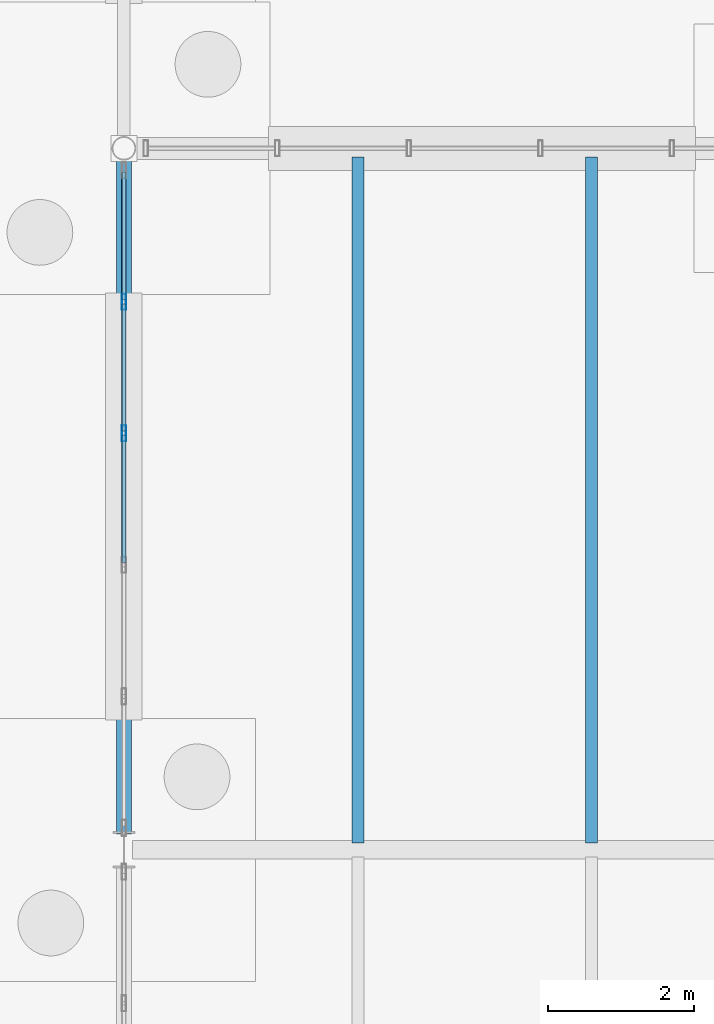
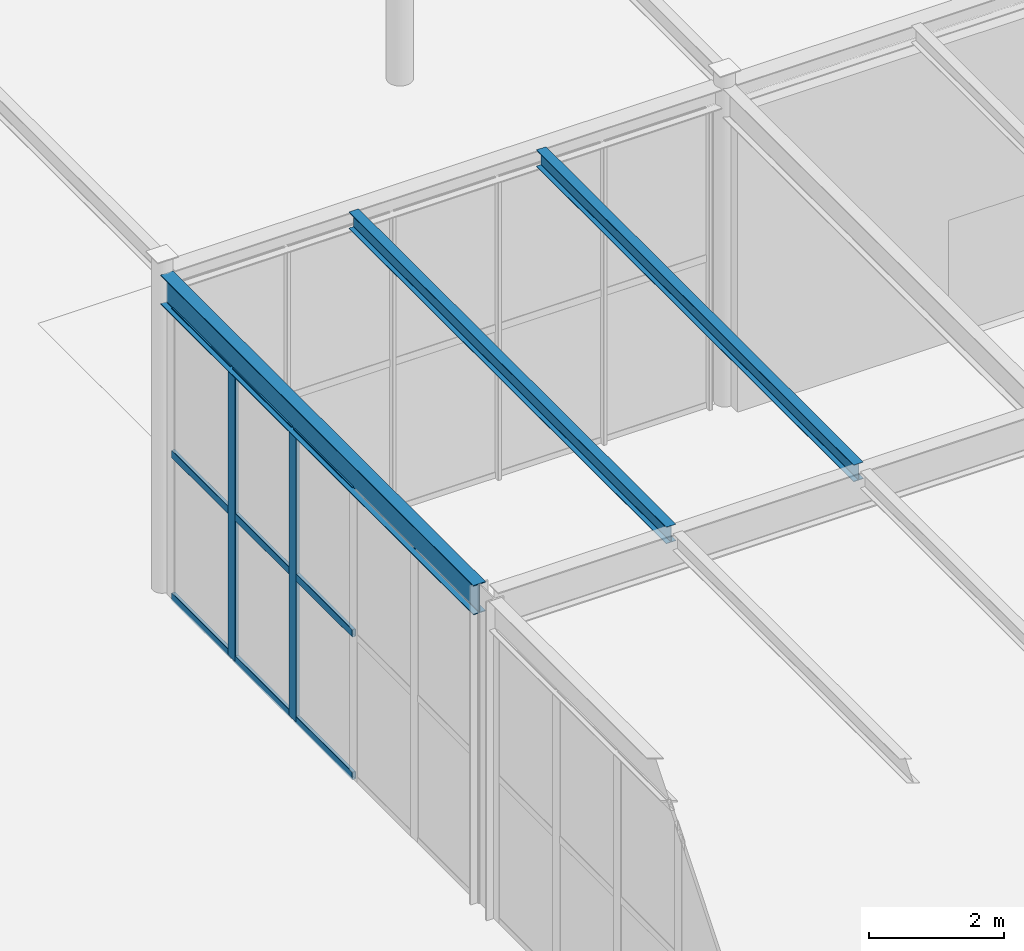
# One storey, part 73 of 142: 11 members, 3 beams, 1 element without a shape of its own.
"""IFC4 building model written with IfcOpenShell, lengths in metres."""

from ifc_helpers import new_model, si_unit, direction, frame, origin, origin_2d, place, context, subcontext, project, spatial, hollow_rectangle, i_section, extrude, material, material_profile, profile_set, type_object, element, aggregate, save


model = new_model("IFC4")

# Units and contexts
model_context = context("Model", 3, precision=1e-05, world=origin(), true_north=direction((0.0, 1.0)))
body_context = subcontext(model_context, "Body", "Model", "MODEL_VIEW")
ifc_project = project(units=[si_unit("LENGTHUNIT", "METRE"), si_unit("AREAUNIT", "SQUARE_METRE"), si_unit("VOLUMEUNIT", "CUBIC_METRE"), si_unit("PLANEANGLEUNIT", "RADIAN"), si_unit("MASSUNIT", "GRAM", prefix="KILO")], contexts=[model_context])

# Site, building, storey
site_placement = place(None, origin())
site = spatial("IfcSite", under=ifc_project, at=site_placement, CompositionType="ELEMENT")
building_placement = place(site_placement, origin())
building = spatial("IfcBuilding", under=site, at=building_placement, Name="Coralgate Yard Interchange", CompositionType="ELEMENT")
storey_placement = place(building_placement, origin())
storey = spatial("IfcBuildingStorey", under=building, at=storey_placement, Name="L00", CompositionType="ELEMENT", Elevation=0.0)

# Beams
ifc_material_1 = material(Name="Structural steel S355J2", Category="steel")
ifc_material_profile_1 = material_profile(ifc_material_1, i_section(OverallWidth=0.209228515625, OverallDepth=0.533203125, WebThickness=0.010009765625, FlangeThickness=0.015625, FilletRadius=0.0126953125, at=origin_2d()), Name="UB 533x210x92")
ifc_profile_set_1 = profile_set([ifc_material_profile_1], Name="Structural steel S355J2")
beam_type_1 = type_object("IfcBeamType", Name="BM-SB-1", PredefinedType="BEAM", material=ifc_profile_set_1)
beam_placement = place(storey_placement, frame((38.39990234375, 86.6201171875, 5.4833984375), z_axis=(0.0, 1.0, 0.0), x_axis=(-1.0, 0.0, 0.0)))
element("IfcBeam", 1, at=beam_placement, inside=storey, type_object=beam_type_1, Name="L00 primary grid girder X4 Y9-10", PredefinedType="BEAM", context=body_context, shape_type="SweptSolid", body=[
    extrude(i_section(OverallWidth=0.209228515625, OverallDepth=0.533203125, WebThickness=0.010009765625, FlangeThickness=0.015625, FilletRadius=0.0126953125, at=origin_2d()), origin(), (0.0, 0.0, 1.0), 9.247802734375),
])
ifc_material_profile_2 = material_profile(ifc_material_1, i_section(OverallWidth=0.1650390625, OverallDepth=0.303466796875, WebThickness=0.006103515625, FlangeThickness=0.01025390625, FilletRadius=0.0087890625, at=origin_2d()), Name="UB 305x165x40")
ifc_profile_set_2 = profile_set([ifc_material_profile_2], Name="Structural steel S355J2")
beam_type_2 = type_object("IfcBeamType", Name="BM-SJ-1", PredefinedType="JOIST", material=ifc_profile_set_2)
for number, where, z_axis, x_axis, name in (
    (2, (41.60009765625, 86.496826171875, 5.598388671875), (0.0, 1.0, 0.0), (-1.0, 0.0, 0.0), "L00 composite floor joist 4-9-1"),
    (3, (44.800048828125, 86.496826171875, 5.598388671875), (0.0, 1.0, 0.0), (-1.0, 0.0, 0.0), "L00 composite floor joist 4-9-2"),
):
    element("IfcBeam", number, at=place(storey_placement, frame(where, z_axis=z_axis, x_axis=x_axis)), inside=storey, type_object=beam_type_2, Name=name, PredefinedType="JOIST", context=body_context, shape_type="SweptSolid", body=[
        extrude(i_section(OverallWidth=0.1650390625, OverallDepth=0.303466796875, WebThickness=0.006103515625, FlangeThickness=0.01025390625, FilletRadius=0.0087890625, at=origin_2d()), origin(), (0.0, 0.0, 1.0), 9.383056640625),
    ])

# Curtain wall, members
ifc_material_2 = material(Name="Anodised coastal aluminium and solar-control low-E glass", Category="aluminium")
curtain_wall_type = type_object("IfcCurtainWallType", Name="CW-CW-L00-A", PredefinedType="NOTDEFINED", material=ifc_material_2)
curtain_wall_placement = place(storey_placement, origin())
curtain_wall = element("IfcCurtainWall", 4, at=curtain_wall_placement, inside=storey, type_object=curtain_wall_type, Name="L00 unitised curtain wall CW-L00-W-04-09", PredefinedType="NOTDEFINED")
ifc_material_3 = material(Name="Anodised coastal aluminium 6063-T6", Category="aluminium")
ifc_material_profile_3 = material_profile(ifc_material_3, hollow_rectangle(XDim=0.06005859375, YDim=0.219970703125, WallThickness=0.00390625, InnerFilletRadius=0.00390625, OuterFilletRadius=0.008056640625, at=origin_2d()), Name="ALU 60x220x4")
ifc_profile_set_3 = profile_set([ifc_material_profile_3], Name="Anodised coastal aluminium 6063-T6")
member_type_1 = type_object("IfcMemberType", Name="MB-MUL-220", PredefinedType="MULLION", material=ifc_profile_set_3)
member_1_placement = place(storey_placement, frame((38.39990234375, 92.10009765625, 0.0), z_axis=(0.0, 0.0, 1.0), x_axis=(1.0, 0.0, 0.0)))
member_1 = element("IfcMember", 5, at=member_1_placement, type_object=member_type_1, Name="CW-L00-W-04-09 vertical mullion 4", PredefinedType="MULLION", context=body_context, shape_type="SweptSolid", body=[
    extrude(hollow_rectangle(XDim=0.06005859375, YDim=0.219970703125, WallThickness=0.00390625, InnerFilletRadius=0.00390625, OuterFilletRadius=0.008056640625, at=origin_2d()), origin(), (0.0, 0.0, 1.0), 5.216796875),
])
member_2_placement = place(storey_placement, frame((38.39990234375, 93.89990234375, 0.0), z_axis=(0.0, 0.0, 1.0), x_axis=(1.0, 0.0, 0.0)))
member_2 = element("IfcMember", 6, at=member_2_placement, type_object=member_type_1, Name="CW-L00-W-04-09 vertical mullion 5", PredefinedType="MULLION", context=body_context, shape_type="SweptSolid", body=[
    extrude(hollow_rectangle(XDim=0.06005859375, YDim=0.219970703125, WallThickness=0.00390625, InnerFilletRadius=0.00390625, OuterFilletRadius=0.008056640625, at=origin_2d()), origin(), (0.0, 0.0, 1.0), 5.216796875),
])
ifc_material_profile_4 = material_profile(ifc_material_3, hollow_rectangle(XDim=0.06005859375, YDim=0.139892578125, WallThickness=0.00341796875, InnerFilletRadius=0.00341796875, OuterFilletRadius=0.007080078125, at=origin_2d()), Name="ALU 60x140x3.5")
ifc_profile_set_4 = profile_set([ifc_material_profile_4], Name="Anodised coastal aluminium 6063-T6")
member_type_2 = type_object("IfcMemberType", Name="MB-TRN-140", PredefinedType="USERDEFINED", material=ifc_profile_set_4)
member_3_placement = place(storey_placement, frame((38.39990234375, 90.330078125, 0.034912109375), z_axis=(0.0, 1.0, 0.0), x_axis=(-1.0, 0.0, 0.0)))
member_3 = element("IfcMember", 7, at=member_3_placement, type_object=member_type_2, Name="CW-L00-W-04-09 horizontal transom 3-1", ObjectType="TRANSOM", PredefinedType="USERDEFINED", context=body_context, shape_type="SweptSolid", body=[
    extrude(hollow_rectangle(XDim=0.06005859375, YDim=0.139892578125, WallThickness=0.00341796875, InnerFilletRadius=0.00341796875, OuterFilletRadius=0.007080078125, at=origin_2d()), origin(), (0.0, 0.0, 1.0), 1.739990234375),
])
member_4_placement = place(storey_placement, frame((38.39990234375, 90.330078125, 2.6083984375), z_axis=(0.0, 1.0, 0.0), x_axis=(-1.0, 0.0, 0.0)))
member_4 = element("IfcMember", 8, at=member_4_placement, type_object=member_type_2, Name="CW-L00-W-04-09 horizontal transom 3-2", ObjectType="TRANSOM", PredefinedType="USERDEFINED", context=body_context, shape_type="SweptSolid", body=[
    extrude(hollow_rectangle(XDim=0.06005859375, YDim=0.139892578125, WallThickness=0.00341796875, InnerFilletRadius=0.00341796875, OuterFilletRadius=0.007080078125, at=origin_2d()), origin(), (0.0, 0.0, 1.0), 1.739990234375),
])
member_5_placement = place(storey_placement, frame((38.39990234375, 90.330078125, 5.181884765625), z_axis=(0.0, 1.0, 0.0), x_axis=(-1.0, 0.0, 0.0)))
member_5 = element("IfcMember", 9, at=member_5_placement, type_object=member_type_2, Name="CW-L00-W-04-09 horizontal transom 3-3", ObjectType="TRANSOM", PredefinedType="USERDEFINED", context=body_context, shape_type="SweptSolid", body=[
    extrude(hollow_rectangle(XDim=0.06005859375, YDim=0.139892578125, WallThickness=0.00341796875, InnerFilletRadius=0.00341796875, OuterFilletRadius=0.007080078125, at=origin_2d()), origin(), (0.0, 0.0, 1.0), 1.739990234375),
])
member_6_placement = place(storey_placement, frame((38.39990234375, 92.1298828125, 0.034912109375), z_axis=(0.0, 1.0, 0.0), x_axis=(-1.0, 0.0, 0.0)))
member_6 = element("IfcMember", 10, at=member_6_placement, type_object=member_type_2, Name="CW-L00-W-04-09 horizontal transom 4-1", ObjectType="TRANSOM", PredefinedType="USERDEFINED", context=body_context, shape_type="SweptSolid", body=[
    extrude(hollow_rectangle(XDim=0.06005859375, YDim=0.139892578125, WallThickness=0.00341796875, InnerFilletRadius=0.00341796875, OuterFilletRadius=0.007080078125, at=origin_2d()), origin(), (0.0, 0.0, 1.0), 1.740234375),
])
member_7_placement = place(storey_placement, frame((38.39990234375, 92.1298828125, 2.6083984375), z_axis=(0.0, 1.0, 0.0), x_axis=(-1.0, 0.0, 0.0)))
member_7 = element("IfcMember", 11, at=member_7_placement, type_object=member_type_2, Name="CW-L00-W-04-09 horizontal transom 4-2", ObjectType="TRANSOM", PredefinedType="USERDEFINED", context=body_context, shape_type="SweptSolid", body=[
    extrude(hollow_rectangle(XDim=0.06005859375, YDim=0.139892578125, WallThickness=0.00341796875, InnerFilletRadius=0.00341796875, OuterFilletRadius=0.007080078125, at=origin_2d()), origin(), (0.0, 0.0, 1.0), 1.740234375),
])
member_8_placement = place(storey_placement, frame((38.39990234375, 92.1298828125, 5.181884765625), z_axis=(0.0, 1.0, 0.0), x_axis=(-1.0, 0.0, 0.0)))
member_8 = element("IfcMember", 12, at=member_8_placement, type_object=member_type_2, Name="CW-L00-W-04-09 horizontal transom 4-3", ObjectType="TRANSOM", PredefinedType="USERDEFINED", context=body_context, shape_type="SweptSolid", body=[
    extrude(hollow_rectangle(XDim=0.06005859375, YDim=0.139892578125, WallThickness=0.00341796875, InnerFilletRadius=0.00341796875, OuterFilletRadius=0.007080078125, at=origin_2d()), origin(), (0.0, 0.0, 1.0), 1.740234375),
])
member_9_placement = place(storey_placement, frame((38.39990234375, 93.929931640625, 0.034912109375), z_axis=(0.0, 1.0, 0.0), x_axis=(-1.0, 0.0, 0.0)))
member_9 = element("IfcMember", 13, at=member_9_placement, type_object=member_type_2, Name="CW-L00-W-04-09 horizontal transom 5-1", ObjectType="TRANSOM", PredefinedType="USERDEFINED", context=body_context, shape_type="SweptSolid", body=[
    extrude(hollow_rectangle(XDim=0.06005859375, YDim=0.139892578125, WallThickness=0.00341796875, InnerFilletRadius=0.00341796875, OuterFilletRadius=0.007080078125, at=origin_2d()), origin(), (0.0, 0.0, 1.0), 1.739990234375),
])
member_10_placement = place(storey_placement, frame((38.39990234375, 93.929931640625, 2.6083984375), z_axis=(0.0, 1.0, 0.0), x_axis=(-1.0, 0.0, 0.0)))
member_10 = element("IfcMember", 14, at=member_10_placement, type_object=member_type_2, Name="CW-L00-W-04-09 horizontal transom 5-2", ObjectType="TRANSOM", PredefinedType="USERDEFINED", context=body_context, shape_type="SweptSolid", body=[
    extrude(hollow_rectangle(XDim=0.06005859375, YDim=0.139892578125, WallThickness=0.00341796875, InnerFilletRadius=0.00341796875, OuterFilletRadius=0.007080078125, at=origin_2d()), origin(), (0.0, 0.0, 1.0), 1.739990234375),
])
member_11_placement = place(storey_placement, frame((38.39990234375, 93.929931640625, 5.181884765625), z_axis=(0.0, 1.0, 0.0), x_axis=(-1.0, 0.0, 0.0)))
member_11 = element("IfcMember", 15, at=member_11_placement, type_object=member_type_2, Name="CW-L00-W-04-09 horizontal transom 5-3", ObjectType="TRANSOM", PredefinedType="USERDEFINED", context=body_context, shape_type="SweptSolid", body=[
    extrude(hollow_rectangle(XDim=0.06005859375, YDim=0.139892578125, WallThickness=0.00341796875, InnerFilletRadius=0.00341796875, OuterFilletRadius=0.007080078125, at=origin_2d()), origin(), (0.0, 0.0, 1.0), 1.739990234375),
])
aggregate(curtain_wall, [member_1, member_2, member_3, member_4, member_5, member_6, member_7, member_8, member_9, member_10, member_11])

save(model, "model.ifc")
